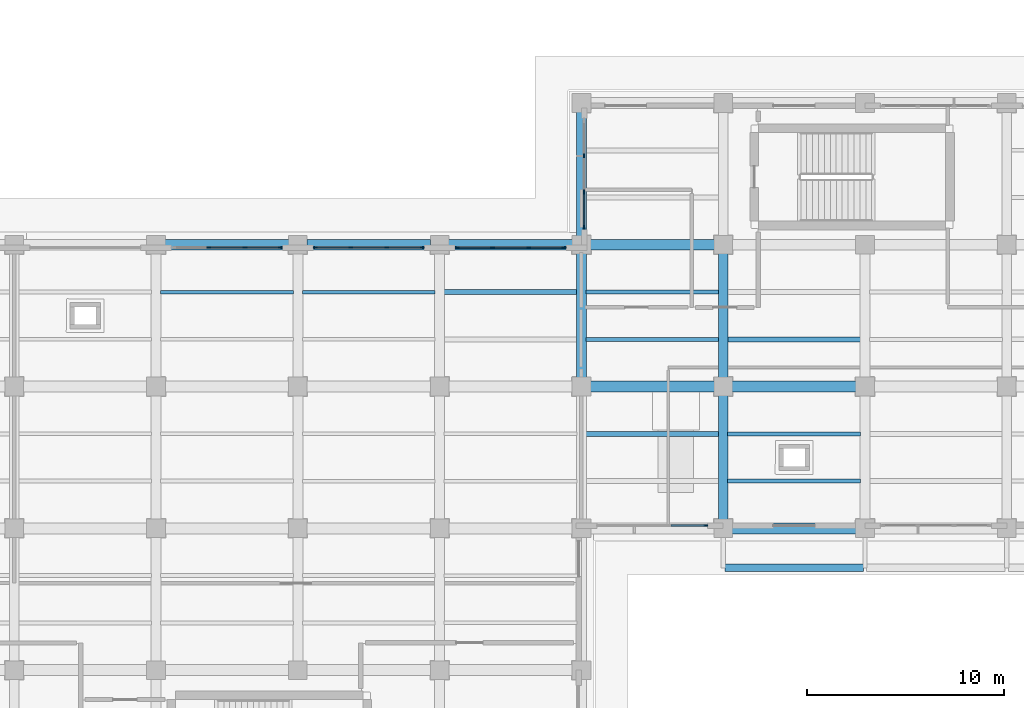
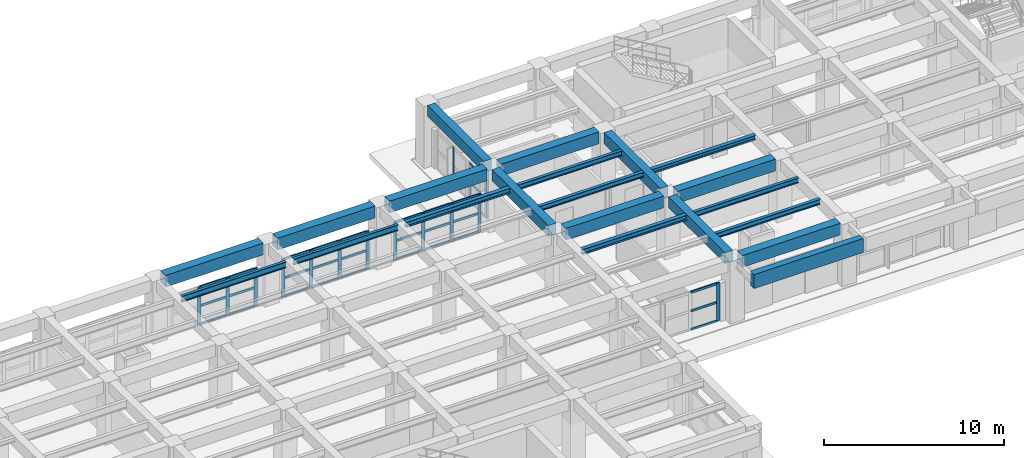
# One storey, part 16 of 64: 45 members, 21 beams, 5 elements without a shape of their own.
"""IFC4 building model written with IfcOpenShell, lengths in metres."""

from ifc_helpers import new_model, si_unit, direction, frame, origin, origin_2d, place, context, subcontext, project, spatial, rectangle, i_section, extrude, material, layer, layer_set, material_profile, profile_set, type_object, element, aggregate, save


model = new_model("IFC4")

# Units and contexts
model_context = context("Model", 3, precision=1e-05, world=origin(), true_north=direction((0.0, 1.0)))
body_context = subcontext(model_context, "Body", "Model", "MODEL_VIEW")
ifc_project = project(units=[si_unit("LENGTHUNIT", "METRE"), si_unit("AREAUNIT", "SQUARE_METRE"), si_unit("VOLUMEUNIT", "CUBIC_METRE"), si_unit("PLANEANGLEUNIT", "RADIAN"), si_unit("MASSUNIT", "GRAM", prefix="KILO")], contexts=[model_context])

# Site, building, storey
site_placement = place(None, origin())
site = spatial("IfcSite", under=ifc_project, at=site_placement, CompositionType="ELEMENT")
building_placement = place(site_placement, origin())
building = spatial("IfcBuilding", under=site, at=building_placement, Name="Solenvale Faculty of Natural Sciences", CompositionType="ELEMENT")
storey_placement = place(building_placement, origin())
storey = spatial("IfcBuildingStorey", under=building, at=storey_placement, Name="L00", CompositionType="ELEMENT", Elevation=0.0)

# Beams
ifc_material_1 = material(Name="Concrete 40 MPa", Category="concrete")
ifc_material_profile_1 = material_profile(ifc_material_1, rectangle(XDim=0.5, YDim=0.75, at=origin_2d()), Name="RC-BM-500x750")
ifc_profile_set_1 = profile_set([ifc_material_profile_1], Name="Concrete 40 MPa")
beam_type_1 = type_object("IfcBeamType", Name="BM-RC-500x750", PredefinedType="BEAM", material=ifc_profile_set_1)
for number, where, z_axis, x_axis, name in (
    (1, (115.199951171875, 43.655029296875, 3.844970703125), (0.0, 1.0, 0.0), (-1.0, 0.0, 0.0), "L00 Y-Girder X115.2 (43.2..50.4)"),
    (2, (115.199951171875, 50.85498046875, 3.844970703125), (0.0, 1.0, 0.0), (-1.0, 0.0, 0.0), "L00 Y-Girder X115.2 (50.4..57.6)"),
    (3, (122.39990234375, 36.455078125, 3.844970703125), (0.0, 1.0, 0.0), (-1.0, 0.0, 0.0), "L00 Y-Girder X122.4 (36.0..43.2)"),
    (4, (122.39990234375, 43.655029296875, 3.844970703125), (0.0, 1.0, 0.0), (-1.0, 0.0, 0.0), "L00 Y-Girder X122.4 (43.2..50.4)"),
):
    element("IfcBeam", number, at=place(storey_placement, frame(where, z_axis=z_axis, x_axis=x_axis)), inside=storey, type_object=beam_type_1, Name=name, PredefinedType="BEAM", context=body_context, shape_type="SweptSolid", body=[
        extrude(rectangle(XDim=0.5, YDim=0.75, at=origin_2d()), origin(), (0.0, 0.0, 1.0), 6.2900390625),
    ])
ifc_material_profile_2 = material_profile(ifc_material_1, rectangle(XDim=0.550048828125, YDim=0.800048828125, at=origin_2d()), Name="RC-BM-550x800")
ifc_profile_set_2 = profile_set([ifc_material_profile_2], Name="Concrete 40 MPa")
beam_type_2 = type_object("IfcBeamType", Name="BM-RC-550x800", PredefinedType="BEAM", material=ifc_profile_set_2)
for number, where, z_axis, x_axis, name in (
    (5, (122.85498046875, 36.0, 3.820068359375), (1.0, 0.0, 0.0), (0.0, 1.0, 0.0), "L00 X-Girder Y36.0 (122.4..129.6)"),
    (6, (115.655029296875, 43.199951171875, 3.820068359375), (1.0, 0.0, 0.0), (0.0, 1.0, 0.0), "L00 X-Girder Y43.2 (115.2..122.4)"),
    (7, (122.85498046875, 43.199951171875, 3.820068359375), (1.0, 0.0, 0.0), (0.0, 1.0, 0.0), "L00 X-Girder Y43.2 (122.4..129.6)"),
    (8, (94.054931640625, 50.39990234375, 3.820068359375), (1.0, 0.0, 0.0), (0.0, 1.0, 0.0), "L00 X-Girder Y50.4 (93.6..100.8)"),
    (9, (101.2548828125, 50.39990234375, 3.820068359375), (1.0, 0.0, 0.0), (0.0, 1.0, 0.0), "L00 X-Girder Y50.4 (100.8..108.0)"),
    (10, (108.455078125, 50.39990234375, 3.820068359375), (1.0, 0.0, 0.0), (0.0, 1.0, 0.0), "L00 X-Girder Y50.4 (108.0..115.2)"),
    (11, (115.655029296875, 50.39990234375, 3.820068359375), (1.0, 0.0, 0.0), (0.0, 1.0, 0.0), "L00 X-Girder Y50.4 (115.2..122.4)"),
):
    element("IfcBeam", number, at=place(storey_placement, frame(where, z_axis=z_axis, x_axis=x_axis)), inside=storey, type_object=beam_type_2, Name=name, PredefinedType="BEAM", context=body_context, shape_type="SweptSolid", body=[
        extrude(rectangle(XDim=0.550048828125, YDim=0.800048828125, at=origin_2d()), origin(), (0.0, 0.0, 1.0), 6.2900390625),
    ])
ifc_material_2 = material(Name="Architectural bronze concrete 40 MPa", Category="concrete")
ifc_material_profile_3 = material_profile(ifc_material_2, rectangle(XDim=0.39990234375, YDim=0.949951171875, at=origin_2d()), Name="RC-SPN-400x950")
ifc_profile_set_3 = profile_set([ifc_material_profile_3], Name="Architectural bronze concrete 40 MPa")
beam_type_3 = type_object("IfcBeamType", Name="BM-SPN-BRZ-950", PredefinedType="SPANDREL", material=ifc_profile_set_3)
beam_1_placement = place(storey_placement, frame((122.47998046875, 34.0, 3.7451171875), z_axis=(1.0, 0.0, 0.0), x_axis=(0.0, 1.0, 0.0)))
element("IfcBeam", 12, at=beam_1_placement, inside=storey, type_object=beam_type_3, Name="L01 Commons Sliding-Tray South Bronze Fascia 1", PredefinedType="SPANDREL", context=body_context, shape_type="SweptSolid", body=[
    extrude(rectangle(XDim=0.39990234375, YDim=0.949951171875, at=origin_2d()), origin(), (0.0, 0.0, 1.0), 7.0400390625),
])
ifc_material_3 = material(Name="Steel S355", Category="steel")
ifc_material_profile_4 = material_profile(ifc_material_3, i_section(OverallWidth=0.25390625, OverallDepth=0.305908203125, WebThickness=0.0087890625, FlangeThickness=0.0146484375, FilletRadius=0.014892578125, at=origin_2d()), Name="W310x79")
ifc_profile_set_4 = profile_set([ifc_material_profile_4], Name="Steel S355")
beam_type_4 = type_object("IfcBeamType", Name="BM-STL-W310x79", PredefinedType="JOIST", material=ifc_profile_set_4)
beam_2_placement = place(storey_placement, frame((122.6298828125, 45.60009765625, 4.06689453125), z_axis=(1.0, 0.0, 0.0), x_axis=(0.0, 1.0, 0.0)))
element("IfcBeam", 13, at=beam_2_placement, inside=storey, type_object=beam_type_4, Name="L00 Composite Floor Joist (18,7).1", PredefinedType="JOIST", context=body_context, shape_type="SweptSolid", body=[
    extrude(i_section(OverallWidth=0.25390625, OverallDepth=0.305908203125, WebThickness=0.0087890625, FlangeThickness=0.0146484375, FilletRadius=0.014892578125, at=origin_2d()), origin(), (0.0, 0.0, 1.0), 6.740234375),
])
ifc_material_profile_5 = material_profile(ifc_material_3, i_section(OverallWidth=0.2548828125, OverallDepth=0.35693359375, WebThickness=0.010498046875, FlangeThickness=0.018310546875, FilletRadius=0.014892578125, at=origin_2d()), Name="W360x101")
ifc_profile_set_5 = profile_set([ifc_material_profile_5], Name="Steel S355")
beam_type_5 = type_object("IfcBeamType", Name="BM-STL-W360x101", PredefinedType="JOIST", material=ifc_profile_set_5)
for number, where, z_axis, x_axis, name in (
    (14, (108.22998046875, 48.0, 4.04150390625), (1.0, 0.0, 0.0), (0.0, 1.0, 0.0), "L00 Composite Floor Joist (16,7).2"),
    (15, (115.429931640625, 40.800048828125, 4.04150390625), (1.0, 0.0, 0.0), (0.0, 1.0, 0.0), "L00 Composite Floor Joist (17,6).2"),
):
    element("IfcBeam", number, at=place(storey_placement, frame(where, z_axis=z_axis, x_axis=x_axis)), inside=storey, type_object=beam_type_5, Name=name, PredefinedType="JOIST", context=body_context, shape_type="SweptSolid", body=[
        extrude(i_section(OverallWidth=0.2548828125, OverallDepth=0.35693359375, WebThickness=0.010498046875, FlangeThickness=0.018310546875, FilletRadius=0.014892578125, at=origin_2d()), origin(), (0.0, 0.0, 1.0), 6.739990234375),
    ])
ifc_material_profile_6 = material_profile(ifc_material_3, i_section(OverallWidth=0.2041015625, OverallDepth=0.35009765625, WebThickness=0.008544921875, FlangeThickness=0.01513671875, FilletRadius=0.014892578125, at=origin_2d()), Name="W360x72")
ifc_profile_set_6 = profile_set([ifc_material_profile_6], Name="Steel S355")
beam_type_6 = type_object("IfcBeamType", Name="BM-STL-W360x72", PredefinedType="JOIST", material=ifc_profile_set_6)
for number, where, z_axis, x_axis, name in (
    (16, (115.429931640625, 45.60009765625, 4.044921875), (1.0, 0.0, 0.0), (0.0, 1.0, 0.0), "L00 Composite Floor Joist (17,7).1"),
    (17, (115.429931640625, 48.0, 4.044921875), (1.0, 0.0, 0.0), (0.0, 1.0, 0.0), "L00 Composite Floor Joist (17,7).2"),
):
    element("IfcBeam", number, at=place(storey_placement, frame(where, z_axis=z_axis, x_axis=x_axis)), inside=storey, type_object=beam_type_6, Name=name, PredefinedType="JOIST", context=body_context, shape_type="SweptSolid", body=[
        extrude(i_section(OverallWidth=0.2041015625, OverallDepth=0.35009765625, WebThickness=0.008544921875, FlangeThickness=0.01513671875, FilletRadius=0.014892578125, at=origin_2d()), origin(), (0.0, 0.0, 1.0), 6.739990234375),
    ])
for number, where, z_axis, x_axis, name in (
    (18, (122.6298828125, 38.39990234375, 4.044921875), (1.0, 0.0, 0.0), (0.0, 1.0, 0.0), "L00 Composite Floor Joist (18,6).1"),
    (19, (122.6298828125, 40.800048828125, 4.044921875), (1.0, 0.0, 0.0), (0.0, 1.0, 0.0), "L00 Composite Floor Joist (18,6).2"),
):
    element("IfcBeam", number, at=place(storey_placement, frame(where, z_axis=z_axis, x_axis=x_axis)), inside=storey, type_object=beam_type_6, Name=name, PredefinedType="JOIST", context=body_context, shape_type="SweptSolid", body=[
        extrude(i_section(OverallWidth=0.2041015625, OverallDepth=0.35009765625, WebThickness=0.008544921875, FlangeThickness=0.01513671875, FilletRadius=0.014892578125, at=origin_2d()), origin(), (0.0, 0.0, 1.0), 6.740234375),
    ])
ifc_material_profile_7 = material_profile(ifc_material_3, i_section(OverallWidth=0.178955078125, OverallDepth=0.409912109375, WebThickness=0.0087890625, FlangeThickness=0.014404296875, FilletRadius=0.01611328125, at=origin_2d()), Name="W410x67")
ifc_profile_set_7 = profile_set([ifc_material_profile_7], Name="Steel S355")
beam_type_7 = type_object("IfcBeamType", Name="BM-STL-W410x67", PredefinedType="JOIST", material=ifc_profile_set_7)
beam_3_placement = place(storey_placement, frame((101.030029296875, 48.0, 4.014892578125), z_axis=(1.0, 0.0, 0.0), x_axis=(0.0, 1.0, 0.0)))
element("IfcBeam", 20, at=beam_3_placement, inside=storey, type_object=beam_type_7, Name="L00 Composite Floor Joist (15,7).2", PredefinedType="JOIST", context=body_context, shape_type="SweptSolid", body=[
    extrude(i_section(OverallWidth=0.178955078125, OverallDepth=0.409912109375, WebThickness=0.0087890625, FlangeThickness=0.014404296875, FilletRadius=0.01611328125, at=origin_2d()), origin(), (0.0, 0.0, 1.0), 6.739990234375),
])
ifc_material_profile_8 = material_profile(ifc_material_3, i_section(OverallWidth=0.180908203125, OverallDepth=0.4169921875, WebThickness=0.010986328125, FlangeThickness=0.018310546875, FilletRadius=0.01611328125, at=origin_2d()), Name="W410x85")
ifc_profile_set_8 = profile_set([ifc_material_profile_8], Name="Steel S355")
beam_type_8 = type_object("IfcBeamType", Name="BM-STL-W410x85", PredefinedType="JOIST", material=ifc_profile_set_8)
beam_4_placement = place(storey_placement, frame((93.830078125, 48.0, 4.011474609375), z_axis=(1.0, 0.0, 0.0), x_axis=(0.0, 1.0, 0.0)))
element("IfcBeam", 21, at=beam_4_placement, inside=storey, type_object=beam_type_8, Name="L00 Composite Floor Joist (14,7).2", PredefinedType="JOIST", context=body_context, shape_type="SweptSolid", body=[
    extrude(i_section(OverallWidth=0.180908203125, OverallDepth=0.4169921875, WebThickness=0.010986328125, FlangeThickness=0.018310546875, FilletRadius=0.01611328125, at=origin_2d()), origin(), (0.0, 0.0, 1.0), 6.739990234375),
])

# Curtain wall, member
ifc_material_4 = material(Name="Anodised bronze aluminium", Category="aluminium")
ifc_layer_1 = layer(ifc_material_4, 0.199951171875)
ifc_layer_set_1 = layer_set([ifc_layer_1], Name="Anodised bronze aluminium")
curtain_wall_type_1 = type_object("IfcCurtainWallType", Name="CW-COM-FIN", PredefinedType="USERDEFINED", material=ifc_layer_set_1)
curtain_wall_1_placement = place(storey_placement, origin())
curtain_wall_1 = element("IfcCurtainWall", 22, at=curtain_wall_1_placement, inside=storey, type_object=curtain_wall_type_1, Name="L00 Curtain Wall CW-L00-P1-E5-B1", ObjectType="UNITISED CURTAIN WALL", PredefinedType="USERDEFINED")
ifc_material_profile_9 = material_profile(ifc_material_4, rectangle(XDim=0.074951171875, YDim=0.2099609375, at=origin_2d()), Name="ALU-MUL-75x210")
ifc_profile_set_9 = profile_set([ifc_material_profile_9], Name="Anodised bronze aluminium")
member_type_1 = type_object("IfcMemberType", Name="CWM-ALU-75x210", PredefinedType="MULLION", material=ifc_profile_set_9)
member_1_placement = place(storey_placement, frame((121.512451171875, 36.142578125, 0.0), z_axis=(0.0, 0.0, 1.0), x_axis=(0.0, 1.0, 0.0)))
member_1 = element("IfcMember", 23, at=member_1_placement, type_object=member_type_1, Name="CW-03 mullion 4", PredefinedType="MULLION", context=body_context, shape_type="SweptSolid", body=[
    extrude(rectangle(XDim=0.074951171875, YDim=0.2099609375, at=origin_2d()), origin(), (0.0, 0.0, 1.0), 2.60009765625),
])

# Curtain wall, members
curtain_wall_2_placement = place(storey_placement, origin())
curtain_wall_2 = element("IfcCurtainWall", 24, at=curtain_wall_2_placement, inside=storey, type_object=curtain_wall_type_1, Name="L00 Curtain Wall CW-L00-P1-E8-B1", ObjectType="UNITISED CURTAIN WALL", PredefinedType="USERDEFINED")
member_2_placement = place(storey_placement, frame((115.342529296875, 54.916748046875, 0.0), z_axis=(0.0, 0.0, 1.0), x_axis=(1.0, 0.0, 0.0)))
member_2 = element("IfcMember", 25, at=member_2_placement, type_object=member_type_1, Name="CW-03 mullion 2", PredefinedType="MULLION", context=body_context, shape_type="SweptSolid", body=[
    extrude(rectangle(XDim=0.074951171875, YDim=0.2099609375, at=origin_2d()), origin(), (0.0, 0.0, 1.0), 2.60009765625),
])
member_3_placement = place(storey_placement, frame((115.342529296875, 53.083251953125, 0.0), z_axis=(0.0, 0.0, 1.0), x_axis=(1.0, 0.0, 0.0)))
member_3 = element("IfcMember", 26, at=member_3_placement, type_object=member_type_1, Name="CW-03 mullion 3", PredefinedType="MULLION", context=body_context, shape_type="SweptSolid", body=[
    extrude(rectangle(XDim=0.074951171875, YDim=0.2099609375, at=origin_2d()), origin(), (0.0, 0.0, 1.0), 2.60009765625),
])
member_4_placement = place(storey_placement, frame((115.342529296875, 51.28759765625, 0.0), z_axis=(0.0, 0.0, 1.0), x_axis=(1.0, 0.0, 0.0)))
member_4 = element("IfcMember", 27, at=member_4_placement, type_object=member_type_1, Name="CW-03 mullion 4", PredefinedType="MULLION", context=body_context, shape_type="SweptSolid", body=[
    extrude(rectangle(XDim=0.074951171875, YDim=0.2099609375, at=origin_2d()), origin(), (0.0, 0.0, 1.0), 2.60009765625),
])

ifc_layer_2 = layer(ifc_material_4, 0.179931640625)
ifc_layer_set_2 = layer_set([ifc_layer_2], Name="Anodised bronze aluminium")
curtain_wall_type_2 = type_object("IfcCurtainWallType", Name="CW-TWR-MOD", PredefinedType="USERDEFINED", material=ifc_layer_set_2)
curtain_wall_3_placement = place(storey_placement, origin())
curtain_wall_3 = element("IfcCurtainWall", 28, at=curtain_wall_3_placement, inside=storey, type_object=curtain_wall_type_2, Name="L00 Curtain Wall CW-L00-P1-E9-B1", ObjectType="UNITISED CURTAIN WALL", PredefinedType="USERDEFINED")
member_5_placement = place(storey_placement, frame((114.3125, 50.257568359375, 0.0), z_axis=(0.0, 0.0, 1.0), x_axis=(0.0, -1.0, 0.0)))
member_5 = element("IfcMember", 29, at=member_5_placement, type_object=member_type_1, Name="CW-04 mullion 1", PredefinedType="MULLION", context=body_context, shape_type="SweptSolid", body=[
    extrude(rectangle(XDim=0.074951171875, YDim=0.2099609375, at=origin_2d()), origin(), (0.0, 0.0, 1.0), 2.60009765625),
])
member_6_placement = place(storey_placement, frame((112.5166015625, 50.257568359375, 0.0), z_axis=(0.0, 0.0, 1.0), x_axis=(0.0, -1.0, 0.0)))
member_6 = element("IfcMember", 30, at=member_6_placement, type_object=member_type_1, Name="CW-04 mullion 2", PredefinedType="MULLION", context=body_context, shape_type="SweptSolid", body=[
    extrude(rectangle(XDim=0.074951171875, YDim=0.2099609375, at=origin_2d()), origin(), (0.0, 0.0, 1.0), 2.60009765625),
])
member_7_placement = place(storey_placement, frame((110.683349609375, 50.257568359375, 0.0), z_axis=(0.0, 0.0, 1.0), x_axis=(0.0, -1.0, 0.0)))
member_7 = element("IfcMember", 31, at=member_7_placement, type_object=member_type_1, Name="CW-04 mullion 3", PredefinedType="MULLION", context=body_context, shape_type="SweptSolid", body=[
    extrude(rectangle(XDim=0.074951171875, YDim=0.2099609375, at=origin_2d()), origin(), (0.0, 0.0, 1.0), 2.60009765625),
])
member_8_placement = place(storey_placement, frame((108.887451171875, 50.257568359375, 0.0), z_axis=(0.0, 0.0, 1.0), x_axis=(0.0, -1.0, 0.0)))
member_8 = element("IfcMember", 32, at=member_8_placement, type_object=member_type_1, Name="CW-04 mullion 4", PredefinedType="MULLION", context=body_context, shape_type="SweptSolid", body=[
    extrude(rectangle(XDim=0.074951171875, YDim=0.2099609375, at=origin_2d()), origin(), (0.0, 0.0, 1.0), 2.60009765625),
])

curtain_wall_4_placement = place(storey_placement, origin())
curtain_wall_4 = element("IfcCurtainWall", 33, at=curtain_wall_4_placement, inside=storey, type_object=curtain_wall_type_2, Name="L00 Curtain Wall CW-L00-P1-E9-B2", ObjectType="UNITISED CURTAIN WALL", PredefinedType="USERDEFINED")
member_9_placement = place(storey_placement, frame((107.112548828125, 50.257568359375, 0.0), z_axis=(0.0, 0.0, 1.0), x_axis=(0.0, -1.0, 0.0)))
member_9 = element("IfcMember", 34, at=member_9_placement, type_object=member_type_1, Name="CW-04 mullion 1", PredefinedType="MULLION", context=body_context, shape_type="SweptSolid", body=[
    extrude(rectangle(XDim=0.074951171875, YDim=0.2099609375, at=origin_2d()), origin(), (0.0, 0.0, 1.0), 2.60009765625),
])
member_10_placement = place(storey_placement, frame((105.316650390625, 50.257568359375, 0.0), z_axis=(0.0, 0.0, 1.0), x_axis=(0.0, -1.0, 0.0)))
member_10 = element("IfcMember", 35, at=member_10_placement, type_object=member_type_1, Name="CW-04 mullion 2", PredefinedType="MULLION", context=body_context, shape_type="SweptSolid", body=[
    extrude(rectangle(XDim=0.074951171875, YDim=0.2099609375, at=origin_2d()), origin(), (0.0, 0.0, 1.0), 2.60009765625),
])
member_11_placement = place(storey_placement, frame((103.4833984375, 50.257568359375, 0.0), z_axis=(0.0, 0.0, 1.0), x_axis=(0.0, -1.0, 0.0)))
member_11 = element("IfcMember", 36, at=member_11_placement, type_object=member_type_1, Name="CW-04 mullion 3", PredefinedType="MULLION", context=body_context, shape_type="SweptSolid", body=[
    extrude(rectangle(XDim=0.074951171875, YDim=0.2099609375, at=origin_2d()), origin(), (0.0, 0.0, 1.0), 2.60009765625),
])
member_12_placement = place(storey_placement, frame((101.6875, 50.257568359375, 0.0), z_axis=(0.0, 0.0, 1.0), x_axis=(0.0, -1.0, 0.0)))
member_12 = element("IfcMember", 37, at=member_12_placement, type_object=member_type_1, Name="CW-04 mullion 4", PredefinedType="MULLION", context=body_context, shape_type="SweptSolid", body=[
    extrude(rectangle(XDim=0.074951171875, YDim=0.2099609375, at=origin_2d()), origin(), (0.0, 0.0, 1.0), 2.60009765625),
])

curtain_wall_5_placement = place(storey_placement, origin())
curtain_wall_5 = element("IfcCurtainWall", 38, at=curtain_wall_5_placement, inside=storey, type_object=curtain_wall_type_2, Name="L00 Curtain Wall CW-L00-P1-E9-B3", ObjectType="UNITISED CURTAIN WALL", PredefinedType="USERDEFINED")
member_13_placement = place(storey_placement, frame((99.91259765625, 50.257568359375, 0.0), z_axis=(0.0, 0.0, 1.0), x_axis=(0.0, -1.0, 0.0)))
member_13 = element("IfcMember", 39, at=member_13_placement, type_object=member_type_1, Name="CW-04 mullion 1", PredefinedType="MULLION", context=body_context, shape_type="SweptSolid", body=[
    extrude(rectangle(XDim=0.074951171875, YDim=0.2099609375, at=origin_2d()), origin(), (0.0, 0.0, 1.0), 2.60009765625),
])
member_14_placement = place(storey_placement, frame((98.11669921875, 50.257568359375, 0.0), z_axis=(0.0, 0.0, 1.0), x_axis=(0.0, -1.0, 0.0)))
member_14 = element("IfcMember", 40, at=member_14_placement, type_object=member_type_1, Name="CW-04 mullion 2", PredefinedType="MULLION", context=body_context, shape_type="SweptSolid", body=[
    extrude(rectangle(XDim=0.074951171875, YDim=0.2099609375, at=origin_2d()), origin(), (0.0, 0.0, 1.0), 2.60009765625),
])
member_15_placement = place(storey_placement, frame((96.283447265625, 50.257568359375, 0.0), z_axis=(0.0, 0.0, 1.0), x_axis=(0.0, -1.0, 0.0)))
member_15 = element("IfcMember", 41, at=member_15_placement, type_object=member_type_1, Name="CW-04 mullion 3", PredefinedType="MULLION", context=body_context, shape_type="SweptSolid", body=[
    extrude(rectangle(XDim=0.074951171875, YDim=0.2099609375, at=origin_2d()), origin(), (0.0, 0.0, 1.0), 2.60009765625),
])

# Member
ifc_material_profile_10 = material_profile(ifc_material_4, rectangle(XDim=0.074951171875, YDim=0.155029296875, at=origin_2d()), Name="ALU-TRN-75x155")
ifc_profile_set_10 = profile_set([ifc_material_profile_10], Name="Anodised bronze aluminium")
member_type_2 = type_object("IfcMemberType", Name="CWT-ALU-75x155", PredefinedType="USERDEFINED", material=ifc_profile_set_10)
member_16_placement = place(storey_placement, frame((119.754150390625, 36.142578125, 0.03759765625), z_axis=(1.0, 0.0, 0.0), x_axis=(0.0, 1.0, 0.0)))
member_16 = element("IfcMember", 42, at=member_16_placement, type_object=member_type_2, Name="CW-03 transom 3.1", ObjectType="TRANSOM", PredefinedType="USERDEFINED", context=body_context, shape_type="SweptSolid", body=[
    extrude(rectangle(XDim=0.074951171875, YDim=0.155029296875, at=origin_2d()), origin(), (0.0, 0.0, 1.0), 1.720947265625),
])

member_17_placement = place(storey_placement, frame((119.754150390625, 36.142578125, 1.300048828125), z_axis=(1.0, 0.0, 0.0), x_axis=(0.0, 1.0, 0.0)))
member_17 = element("IfcMember", 43, at=member_17_placement, type_object=member_type_2, Name="CW-03 transom 3.2", ObjectType="TRANSOM", PredefinedType="USERDEFINED", context=body_context, shape_type="SweptSolid", body=[
    extrude(rectangle(XDim=0.074951171875, YDim=0.155029296875, at=origin_2d()), origin(), (0.0, 0.0, 1.0), 1.720947265625),
])

member_18_placement = place(storey_placement, frame((119.754150390625, 36.142578125, 2.5625), z_axis=(1.0, 0.0, 0.0), x_axis=(0.0, 1.0, 0.0)))
member_18 = element("IfcMember", 44, at=member_18_placement, type_object=member_type_2, Name="CW-03 transom 3.3", ObjectType="TRANSOM", PredefinedType="USERDEFINED", context=body_context, shape_type="SweptSolid", body=[
    extrude(rectangle(XDim=0.074951171875, YDim=0.155029296875, at=origin_2d()), origin(), (0.0, 0.0, 1.0), 1.720947265625),
])

aggregate(curtain_wall_1, [member_1, member_16, member_17, member_18])

member_19_placement = place(storey_placement, frame((115.342529296875, 53.0458984375, 0.03759765625), z_axis=(0.0, -1.0, 0.0), x_axis=(1.0, 0.0, 0.0)))
member_19 = element("IfcMember", 45, at=member_19_placement, type_object=member_type_2, Name="CW-03 transom 3.1", ObjectType="TRANSOM", PredefinedType="USERDEFINED", context=body_context, shape_type="SweptSolid", body=[
    extrude(rectangle(XDim=0.074951171875, YDim=0.155029296875, at=origin_2d()), origin(), (0.0, 0.0, 1.0), 1.720947265625),
])

member_20_placement = place(storey_placement, frame((115.342529296875, 53.0458984375, 1.300048828125), z_axis=(0.0, -1.0, 0.0), x_axis=(1.0, 0.0, 0.0)))
member_20 = element("IfcMember", 46, at=member_20_placement, type_object=member_type_2, Name="CW-03 transom 3.2", ObjectType="TRANSOM", PredefinedType="USERDEFINED", context=body_context, shape_type="SweptSolid", body=[
    extrude(rectangle(XDim=0.074951171875, YDim=0.155029296875, at=origin_2d()), origin(), (0.0, 0.0, 1.0), 1.720947265625),
])

member_21_placement = place(storey_placement, frame((115.342529296875, 53.0458984375, 2.5625), z_axis=(0.0, -1.0, 0.0), x_axis=(1.0, 0.0, 0.0)))
member_21 = element("IfcMember", 47, at=member_21_placement, type_object=member_type_2, Name="CW-03 transom 3.3", ObjectType="TRANSOM", PredefinedType="USERDEFINED", context=body_context, shape_type="SweptSolid", body=[
    extrude(rectangle(XDim=0.074951171875, YDim=0.155029296875, at=origin_2d()), origin(), (0.0, 0.0, 1.0), 1.720947265625),
])

aggregate(curtain_wall_2, [member_2, member_3, member_4, member_19, member_20, member_21])

member_22_placement = place(storey_placement, frame((114.27490234375, 50.257568359375, 0.03759765625), z_axis=(-1.0, 0.0, 0.0), x_axis=(0.0, -1.0, 0.0)))
member_22 = element("IfcMember", 48, at=member_22_placement, type_object=member_type_2, Name="CW-04 transom 1.1", ObjectType="TRANSOM", PredefinedType="USERDEFINED", context=body_context, shape_type="SweptSolid", body=[
    extrude(rectangle(XDim=0.074951171875, YDim=0.155029296875, at=origin_2d()), origin(), (0.0, 0.0, 1.0), 1.720703125),
])

member_23_placement = place(storey_placement, frame((114.27490234375, 50.257568359375, 1.300048828125), z_axis=(-1.0, 0.0, 0.0), x_axis=(0.0, -1.0, 0.0)))
member_23 = element("IfcMember", 49, at=member_23_placement, type_object=member_type_2, Name="CW-04 transom 1.2", ObjectType="TRANSOM", PredefinedType="USERDEFINED", context=body_context, shape_type="SweptSolid", body=[
    extrude(rectangle(XDim=0.074951171875, YDim=0.155029296875, at=origin_2d()), origin(), (0.0, 0.0, 1.0), 1.720703125),
])

member_24_placement = place(storey_placement, frame((114.27490234375, 50.257568359375, 2.5625), z_axis=(-1.0, 0.0, 0.0), x_axis=(0.0, -1.0, 0.0)))
member_24 = element("IfcMember", 50, at=member_24_placement, type_object=member_type_2, Name="CW-04 transom 1.3", ObjectType="TRANSOM", PredefinedType="USERDEFINED", context=body_context, shape_type="SweptSolid", body=[
    extrude(rectangle(XDim=0.074951171875, YDim=0.155029296875, at=origin_2d()), origin(), (0.0, 0.0, 1.0), 1.720703125),
])

member_25_placement = place(storey_placement, frame((112.479248046875, 50.257568359375, 0.03759765625), z_axis=(-1.0, 0.0, 0.0), x_axis=(0.0, -1.0, 0.0)))
member_25 = element("IfcMember", 51, at=member_25_placement, type_object=member_type_2, Name="CW-04 transom 2.1", ObjectType="TRANSOM", PredefinedType="USERDEFINED", context=body_context, shape_type="SweptSolid", body=[
    extrude(rectangle(XDim=0.074951171875, YDim=0.155029296875, at=origin_2d()), origin(), (0.0, 0.0, 1.0), 1.75830078125),
])

member_26_placement = place(storey_placement, frame((112.479248046875, 50.257568359375, 1.300048828125), z_axis=(-1.0, 0.0, 0.0), x_axis=(0.0, -1.0, 0.0)))
member_26 = element("IfcMember", 52, at=member_26_placement, type_object=member_type_2, Name="CW-04 transom 2.2", ObjectType="TRANSOM", PredefinedType="USERDEFINED", context=body_context, shape_type="SweptSolid", body=[
    extrude(rectangle(XDim=0.074951171875, YDim=0.155029296875, at=origin_2d()), origin(), (0.0, 0.0, 1.0), 1.75830078125),
])

member_27_placement = place(storey_placement, frame((112.479248046875, 50.257568359375, 2.5625), z_axis=(-1.0, 0.0, 0.0), x_axis=(0.0, -1.0, 0.0)))
member_27 = element("IfcMember", 53, at=member_27_placement, type_object=member_type_2, Name="CW-04 transom 2.3", ObjectType="TRANSOM", PredefinedType="USERDEFINED", context=body_context, shape_type="SweptSolid", body=[
    extrude(rectangle(XDim=0.074951171875, YDim=0.155029296875, at=origin_2d()), origin(), (0.0, 0.0, 1.0), 1.75830078125),
])

member_28_placement = place(storey_placement, frame((110.645751953125, 50.257568359375, 0.03759765625), z_axis=(-1.0, 0.0, 0.0), x_axis=(0.0, -1.0, 0.0)))
member_28 = element("IfcMember", 54, at=member_28_placement, type_object=member_type_2, Name="CW-04 transom 3.1", ObjectType="TRANSOM", PredefinedType="USERDEFINED", context=body_context, shape_type="SweptSolid", body=[
    extrude(rectangle(XDim=0.074951171875, YDim=0.155029296875, at=origin_2d()), origin(), (0.0, 0.0, 1.0), 1.720703125),
])

member_29_placement = place(storey_placement, frame((110.645751953125, 50.257568359375, 1.300048828125), z_axis=(-1.0, 0.0, 0.0), x_axis=(0.0, -1.0, 0.0)))
member_29 = element("IfcMember", 55, at=member_29_placement, type_object=member_type_2, Name="CW-04 transom 3.2", ObjectType="TRANSOM", PredefinedType="USERDEFINED", context=body_context, shape_type="SweptSolid", body=[
    extrude(rectangle(XDim=0.074951171875, YDim=0.155029296875, at=origin_2d()), origin(), (0.0, 0.0, 1.0), 1.720703125),
])

member_30_placement = place(storey_placement, frame((110.645751953125, 50.257568359375, 2.5625), z_axis=(-1.0, 0.0, 0.0), x_axis=(0.0, -1.0, 0.0)))
member_30 = element("IfcMember", 56, at=member_30_placement, type_object=member_type_2, Name="CW-04 transom 3.3", ObjectType="TRANSOM", PredefinedType="USERDEFINED", context=body_context, shape_type="SweptSolid", body=[
    extrude(rectangle(XDim=0.074951171875, YDim=0.155029296875, at=origin_2d()), origin(), (0.0, 0.0, 1.0), 1.720703125),
])

aggregate(curtain_wall_3, [member_5, member_6, member_7, member_8, member_22, member_23, member_24, member_25, member_26, member_27, member_28, member_29, member_30])

member_31_placement = place(storey_placement, frame((107.074951171875, 50.257568359375, 0.03759765625), z_axis=(-1.0, 0.0, 0.0), x_axis=(0.0, -1.0, 0.0)))
member_31 = element("IfcMember", 57, at=member_31_placement, type_object=member_type_2, Name="CW-04 transom 1.1", ObjectType="TRANSOM", PredefinedType="USERDEFINED", context=body_context, shape_type="SweptSolid", body=[
    extrude(rectangle(XDim=0.074951171875, YDim=0.155029296875, at=origin_2d()), origin(), (0.0, 0.0, 1.0), 1.720703125),
])

member_32_placement = place(storey_placement, frame((107.074951171875, 50.257568359375, 1.300048828125), z_axis=(-1.0, 0.0, 0.0), x_axis=(0.0, -1.0, 0.0)))
member_32 = element("IfcMember", 58, at=member_32_placement, type_object=member_type_2, Name="CW-04 transom 1.2", ObjectType="TRANSOM", PredefinedType="USERDEFINED", context=body_context, shape_type="SweptSolid", body=[
    extrude(rectangle(XDim=0.074951171875, YDim=0.155029296875, at=origin_2d()), origin(), (0.0, 0.0, 1.0), 1.720703125),
])

member_33_placement = place(storey_placement, frame((107.074951171875, 50.257568359375, 2.5625), z_axis=(-1.0, 0.0, 0.0), x_axis=(0.0, -1.0, 0.0)))
member_33 = element("IfcMember", 59, at=member_33_placement, type_object=member_type_2, Name="CW-04 transom 1.3", ObjectType="TRANSOM", PredefinedType="USERDEFINED", context=body_context, shape_type="SweptSolid", body=[
    extrude(rectangle(XDim=0.074951171875, YDim=0.155029296875, at=origin_2d()), origin(), (0.0, 0.0, 1.0), 1.720703125),
])

member_34_placement = place(storey_placement, frame((105.279052734375, 50.257568359375, 0.03759765625), z_axis=(-1.0, 0.0, 0.0), x_axis=(0.0, -1.0, 0.0)))
member_34 = element("IfcMember", 60, at=member_34_placement, type_object=member_type_2, Name="CW-04 transom 2.1", ObjectType="TRANSOM", PredefinedType="USERDEFINED", context=body_context, shape_type="SweptSolid", body=[
    extrude(rectangle(XDim=0.074951171875, YDim=0.155029296875, at=origin_2d()), origin(), (0.0, 0.0, 1.0), 1.75830078125),
])

member_35_placement = place(storey_placement, frame((105.279052734375, 50.257568359375, 1.300048828125), z_axis=(-1.0, 0.0, 0.0), x_axis=(0.0, -1.0, 0.0)))
member_35 = element("IfcMember", 61, at=member_35_placement, type_object=member_type_2, Name="CW-04 transom 2.2", ObjectType="TRANSOM", PredefinedType="USERDEFINED", context=body_context, shape_type="SweptSolid", body=[
    extrude(rectangle(XDim=0.074951171875, YDim=0.155029296875, at=origin_2d()), origin(), (0.0, 0.0, 1.0), 1.75830078125),
])

member_36_placement = place(storey_placement, frame((105.279052734375, 50.257568359375, 2.5625), z_axis=(-1.0, 0.0, 0.0), x_axis=(0.0, -1.0, 0.0)))
member_36 = element("IfcMember", 62, at=member_36_placement, type_object=member_type_2, Name="CW-04 transom 2.3", ObjectType="TRANSOM", PredefinedType="USERDEFINED", context=body_context, shape_type="SweptSolid", body=[
    extrude(rectangle(XDim=0.074951171875, YDim=0.155029296875, at=origin_2d()), origin(), (0.0, 0.0, 1.0), 1.75830078125),
])

member_37_placement = place(storey_placement, frame((103.44580078125, 50.257568359375, 0.03759765625), z_axis=(-1.0, 0.0, 0.0), x_axis=(0.0, -1.0, 0.0)))
member_37 = element("IfcMember", 63, at=member_37_placement, type_object=member_type_2, Name="CW-04 transom 3.1", ObjectType="TRANSOM", PredefinedType="USERDEFINED", context=body_context, shape_type="SweptSolid", body=[
    extrude(rectangle(XDim=0.074951171875, YDim=0.155029296875, at=origin_2d()), origin(), (0.0, 0.0, 1.0), 1.720703125),
])

member_38_placement = place(storey_placement, frame((103.44580078125, 50.257568359375, 1.300048828125), z_axis=(-1.0, 0.0, 0.0), x_axis=(0.0, -1.0, 0.0)))
member_38 = element("IfcMember", 64, at=member_38_placement, type_object=member_type_2, Name="CW-04 transom 3.2", ObjectType="TRANSOM", PredefinedType="USERDEFINED", context=body_context, shape_type="SweptSolid", body=[
    extrude(rectangle(XDim=0.074951171875, YDim=0.155029296875, at=origin_2d()), origin(), (0.0, 0.0, 1.0), 1.720703125),
])

member_39_placement = place(storey_placement, frame((103.44580078125, 50.257568359375, 2.5625), z_axis=(-1.0, 0.0, 0.0), x_axis=(0.0, -1.0, 0.0)))
member_39 = element("IfcMember", 65, at=member_39_placement, type_object=member_type_2, Name="CW-04 transom 3.3", ObjectType="TRANSOM", PredefinedType="USERDEFINED", context=body_context, shape_type="SweptSolid", body=[
    extrude(rectangle(XDim=0.074951171875, YDim=0.155029296875, at=origin_2d()), origin(), (0.0, 0.0, 1.0), 1.720703125),
])

aggregate(curtain_wall_4, [member_9, member_10, member_11, member_12, member_31, member_32, member_33, member_34, member_35, member_36, member_37, member_38, member_39])

member_40_placement = place(storey_placement, frame((99.875, 50.257568359375, 0.03759765625), z_axis=(-1.0, 0.0, 0.0), x_axis=(0.0, -1.0, 0.0)))
member_40 = element("IfcMember", 66, at=member_40_placement, type_object=member_type_2, Name="CW-04 transom 1.1", ObjectType="TRANSOM", PredefinedType="USERDEFINED", context=body_context, shape_type="SweptSolid", body=[
    extrude(rectangle(XDim=0.074951171875, YDim=0.155029296875, at=origin_2d()), origin(), (0.0, 0.0, 1.0), 1.720947265625),
])

member_41_placement = place(storey_placement, frame((99.875, 50.257568359375, 1.300048828125), z_axis=(-1.0, 0.0, 0.0), x_axis=(0.0, -1.0, 0.0)))
member_41 = element("IfcMember", 67, at=member_41_placement, type_object=member_type_2, Name="CW-04 transom 1.2", ObjectType="TRANSOM", PredefinedType="USERDEFINED", context=body_context, shape_type="SweptSolid", body=[
    extrude(rectangle(XDim=0.074951171875, YDim=0.155029296875, at=origin_2d()), origin(), (0.0, 0.0, 1.0), 1.720947265625),
])

member_42_placement = place(storey_placement, frame((99.875, 50.257568359375, 2.5625), z_axis=(-1.0, 0.0, 0.0), x_axis=(0.0, -1.0, 0.0)))
member_42 = element("IfcMember", 68, at=member_42_placement, type_object=member_type_2, Name="CW-04 transom 1.3", ObjectType="TRANSOM", PredefinedType="USERDEFINED", context=body_context, shape_type="SweptSolid", body=[
    extrude(rectangle(XDim=0.074951171875, YDim=0.155029296875, at=origin_2d()), origin(), (0.0, 0.0, 1.0), 1.720947265625),
])

member_43_placement = place(storey_placement, frame((98.0791015625, 50.257568359375, 0.03759765625), z_axis=(-1.0, 0.0, 0.0), x_axis=(0.0, -1.0, 0.0)))
member_43 = element("IfcMember", 69, at=member_43_placement, type_object=member_type_2, Name="CW-04 transom 2.1", ObjectType="TRANSOM", PredefinedType="USERDEFINED", context=body_context, shape_type="SweptSolid", body=[
    extrude(rectangle(XDim=0.074951171875, YDim=0.155029296875, at=origin_2d()), origin(), (0.0, 0.0, 1.0), 1.75830078125),
])

member_44_placement = place(storey_placement, frame((98.0791015625, 50.257568359375, 1.300048828125), z_axis=(-1.0, 0.0, 0.0), x_axis=(0.0, -1.0, 0.0)))
member_44 = element("IfcMember", 70, at=member_44_placement, type_object=member_type_2, Name="CW-04 transom 2.2", ObjectType="TRANSOM", PredefinedType="USERDEFINED", context=body_context, shape_type="SweptSolid", body=[
    extrude(rectangle(XDim=0.074951171875, YDim=0.155029296875, at=origin_2d()), origin(), (0.0, 0.0, 1.0), 1.75830078125),
])

member_45_placement = place(storey_placement, frame((98.0791015625, 50.257568359375, 2.5625), z_axis=(-1.0, 0.0, 0.0), x_axis=(0.0, -1.0, 0.0)))
member_45 = element("IfcMember", 71, at=member_45_placement, type_object=member_type_2, Name="CW-04 transom 2.3", ObjectType="TRANSOM", PredefinedType="USERDEFINED", context=body_context, shape_type="SweptSolid", body=[
    extrude(rectangle(XDim=0.074951171875, YDim=0.155029296875, at=origin_2d()), origin(), (0.0, 0.0, 1.0), 1.75830078125),
])

aggregate(curtain_wall_5, [member_13, member_14, member_15, member_40, member_41, member_42, member_43, member_44, member_45])

save(model, "model.ifc")
